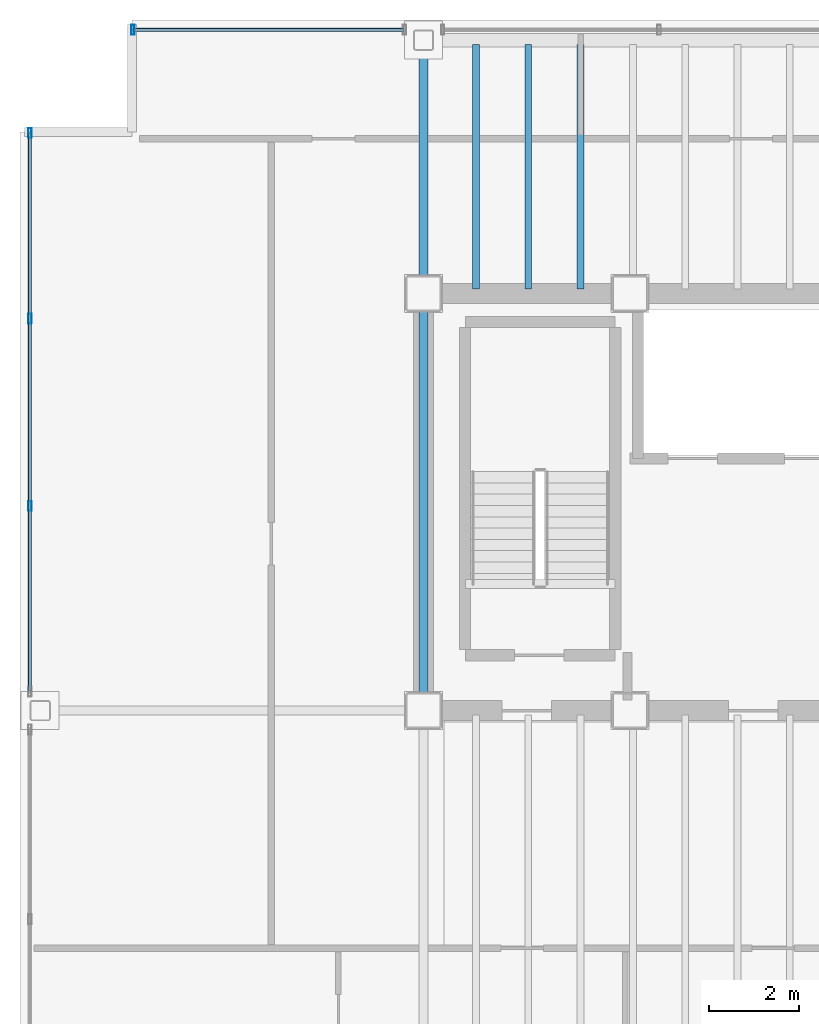
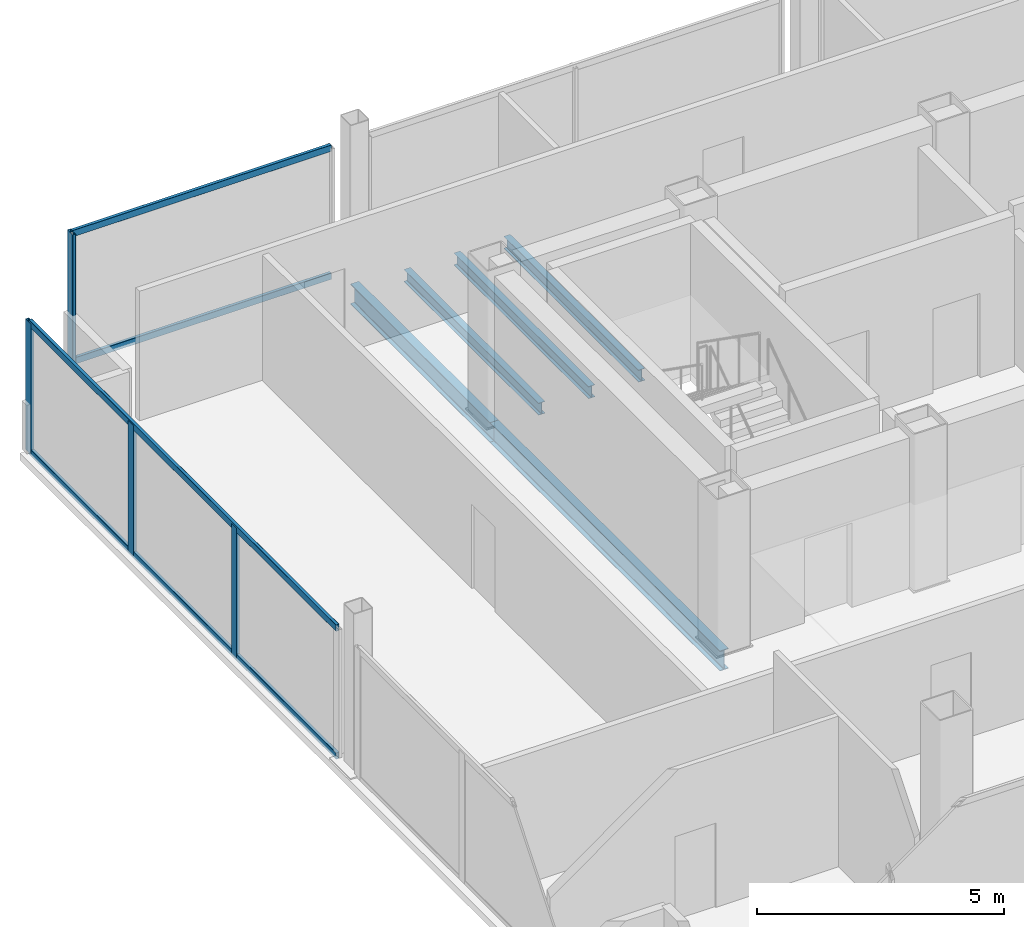
# One storey, part 7 of 16: 8 members, 5 beams, 2 elements without a shape of their own.
"""IFC4 building model written with IfcOpenShell, lengths in metres."""

from ifc_helpers import new_model, si_unit, direction, frame, origin, origin_2d, place, context, subcontext, project, spatial, hollow_rectangle, i_section, extrude, material, material_profile, profile_set, type_object, element, aggregate, save


model = new_model("IFC4")

# Units and contexts
model_context = context("Model", 3, precision=1e-05, world=origin(), true_north=direction((0.0, 1.0)))
body_context = subcontext(model_context, "Body", "Model", "MODEL_VIEW")
ifc_project = project(units=[si_unit("LENGTHUNIT", "METRE"), si_unit("AREAUNIT", "SQUARE_METRE"), si_unit("VOLUMEUNIT", "CUBIC_METRE"), si_unit("PLANEANGLEUNIT", "RADIAN"), si_unit("MASSUNIT", "GRAM", prefix="KILO")], contexts=[model_context])

# Site, building, storey
site_placement = place(None, origin())
site = spatial("IfcSite", under=ifc_project, at=site_placement, CompositionType="ELEMENT")
building_placement = place(site_placement, origin())
building = spatial("IfcBuilding", under=site, at=building_placement, Name="Noeulbin Bourse Tower", CompositionType="ELEMENT")
storey_placement = place(building_placement, frame((0.0, 0.0, 269.60009765625)))
storey = spatial("IfcBuildingStorey", under=building, at=storey_placement, Name="L67", CompositionType="ELEMENT", Elevation=269.60009765625)

# Beams
ifc_material_1 = material(Name="Steel S355", Category="steel")
ifc_material_profile_1 = material_profile(ifc_material_1, i_section(OverallWidth=0.199951171875, OverallDepth=0.5, WebThickness=0.010009765625, FlangeThickness=0.01611328125, FilletRadius=0.02001953125, at=origin_2d()), Name="H-500x200x10x16", Category="LoadBearing")
ifc_profile_set_1 = profile_set([ifc_material_profile_1], Name="Steel S355")
beam_type_1 = type_object("IfcBeamType", Name="BM-GRD-500", PredefinedType="USERDEFINED", material=ifc_profile_set_1)
beam_1_placement = place(storey_placement, frame((13.5, 29.0, -0.43017578125), z_axis=(0.0, 1.0, 0.0), x_axis=(-1.0, 0.0, 0.0)))
element("IfcBeam", 1, at=beam_1_placement, inside=storey, type_object=beam_type_1, Name="Tower Primary Girder NS L67-1.3", ObjectType="GIRDER", PredefinedType="USERDEFINED", context=body_context, shape_type="SweptSolid", body=[
    extrude(i_section(OverallWidth=0.199951171875, OverallDepth=0.5, WebThickness=0.010009765625, FlangeThickness=0.01611328125, FilletRadius=0.02001953125, at=origin_2d()), origin(), (0.0, 0.0, 1.0), 9.300048828125),
])
beam_2_placement = place(storey_placement, frame((13.5, 38.300048828125, -0.43017578125), z_axis=(0.0, 1.0, 0.0), x_axis=(-1.0, 0.0, 0.0)))
element("IfcBeam", 2, at=beam_2_placement, inside=storey, type_object=beam_type_1, Name="Tower Primary Girder NS L67-1.4", ObjectType="GIRDER", PredefinedType="USERDEFINED", context=body_context, shape_type="SweptSolid", body=[
    extrude(i_section(OverallWidth=0.199951171875, OverallDepth=0.5, WebThickness=0.010009765625, FlangeThickness=0.01611328125, FilletRadius=0.02001953125, at=origin_2d()), origin(), (0.0, 0.0, 1.0), 5.64990234375),
])
ifc_material_profile_2 = material_profile(ifc_material_1, i_section(OverallWidth=0.14990234375, OverallDepth=0.300048828125, WebThickness=0.006591796875, FlangeThickness=0.009033203125, FilletRadius=0.012939453125, at=origin_2d()), Name="H-300x150x6.5x9", Category="LoadBearing")
ifc_profile_set_2 = profile_set([ifc_material_profile_2], Name="Steel S355")
beam_type_2 = type_object("IfcBeamType", Name="BM-JST-300", PredefinedType="JOIST", material=ifc_profile_set_2)
for number, where, z_axis, x_axis, name in (
    (3, (14.666748046875, 38.39990234375, -0.330078125), (0.0, 1.0, 0.0), (-1.0, 0.0, 0.0), "Tower Composite Joist L67-02"),
    (4, (15.833251953125, 38.39990234375, -0.330078125), (0.0, 1.0, 0.0), (-1.0, 0.0, 0.0), "Tower Composite Joist L67-04"),
    (5, (17.0, 38.39990234375, -0.330078125), (0.0, 1.0, 0.0), (-1.0, 0.0, 0.0), "Tower Composite Joist L67-06"),
):
    element("IfcBeam", number, at=place(storey_placement, frame(where, z_axis=z_axis, x_axis=x_axis)), inside=storey, type_object=beam_type_2, Name=name, PredefinedType="JOIST", context=body_context, shape_type="SweptSolid", body=[
        extrude(i_section(OverallWidth=0.14990234375, OverallDepth=0.300048828125, WebThickness=0.006591796875, FlangeThickness=0.009033203125, FilletRadius=0.012939453125, at=origin_2d()), origin(), (0.0, 0.0, 1.0), 5.4501953125),
    ])

# Curtain wall, member
ifc_material_2 = material(Name="High-Selectivity Low-Iron Glazing", Category="glass")
curtain_wall_type = type_object("IfcCurtainWallType", Name="CW-SYS-4", PredefinedType="NOTDEFINED", material=ifc_material_2)
curtain_wall_1_placement = place(storey_placement, origin())
curtain_wall_1 = element("IfcCurtainWall", 6, at=curtain_wall_1_placement, inside=storey, type_object=curtain_wall_type, Name="Unitised Curtain Wall CW-L67-N-S1", PredefinedType="NOTDEFINED")
ifc_material_3 = material(Name="Anodised Aluminium 6063-T6", Category="aluminium")
ifc_material_profile_3 = material_profile(ifc_material_3, hollow_rectangle(XDim=0.074951171875, YDim=0.219970703125, WallThickness=0.0048828125, InnerFilletRadius=0.00244140625, OuterFilletRadius=0.0048828125, at=origin_2d()), Name="ALU-MULL-75x220x5", Category="LoadBearing")
ifc_profile_set_3 = profile_set([ifc_material_profile_3], Name="Anodised Aluminium 6063-T6")
member_type_1 = type_object("IfcMemberType", Name="CW-SYS-4-MUL", PredefinedType="MULLION", material=ifc_profile_set_3)
member_1_placement = place(storey_placement, frame((7.02001953125, 44.179931640625, -0.02001953125), z_axis=(0.0, 0.0, 1.0), x_axis=(1.0, 0.0, 0.0)))
member_1 = element("IfcMember", 7, at=member_1_placement, type_object=member_type_1, Name="Curtain Wall Mullion CW-L67-N-S1-M00", PredefinedType="MULLION", context=body_context, shape_type="SweptSolid", body=[
    extrude(hollow_rectangle(XDim=0.074951171875, YDim=0.219970703125, WallThickness=0.0048828125, InnerFilletRadius=0.00244140625, OuterFilletRadius=0.0048828125, at=origin_2d()), origin(), (0.0, 0.0, 1.0), 3.219970703125),
])

# Curtain wall, members
curtain_wall_2_placement = place(storey_placement, origin())
curtain_wall_2 = element("IfcCurtainWall", 8, at=curtain_wall_2_placement, inside=storey, type_object=curtain_wall_type, Name="Unitised Curtain Wall CW-L67-W-S2", PredefinedType="NOTDEFINED")
member_2_placement = place(storey_placement, frame((4.719970703125, 33.563232421875, -0.02001953125), z_axis=(0.0, 0.0, 1.0), x_axis=(1.0, 0.0, 0.0)))
member_2 = element("IfcMember", 9, at=member_2_placement, type_object=member_type_1, Name="Curtain Wall Mullion CW-L67-W-S2-M01", PredefinedType="MULLION", context=body_context, shape_type="SweptSolid", body=[
    extrude(hollow_rectangle(XDim=0.074951171875, YDim=0.219970703125, WallThickness=0.0048828125, InnerFilletRadius=0.00244140625, OuterFilletRadius=0.0048828125, at=origin_2d()), origin(), (0.0, 0.0, 1.0), 3.219970703125),
])
member_3_placement = place(storey_placement, frame((4.719970703125, 37.74169921875, -0.02001953125), z_axis=(0.0, 0.0, 1.0), x_axis=(1.0, 0.0, 0.0)))
member_3 = element("IfcMember", 10, at=member_3_placement, type_object=member_type_1, Name="Curtain Wall Mullion CW-L67-W-S2-M02", PredefinedType="MULLION", context=body_context, shape_type="SweptSolid", body=[
    extrude(hollow_rectangle(XDim=0.074951171875, YDim=0.219970703125, WallThickness=0.0048828125, InnerFilletRadius=0.00244140625, OuterFilletRadius=0.0048828125, at=origin_2d()), origin(), (0.0, 0.0, 1.0), 3.219970703125),
])
member_4_placement = place(storey_placement, frame((4.719970703125, 41.8798828125, -0.02001953125), z_axis=(0.0, 0.0, 1.0), x_axis=(1.0, 0.0, 0.0)))
member_4 = element("IfcMember", 11, at=member_4_placement, type_object=member_type_1, Name="Curtain Wall Mullion CW-L67-W-S2-M03", PredefinedType="MULLION", context=body_context, shape_type="SweptSolid", body=[
    extrude(hollow_rectangle(XDim=0.074951171875, YDim=0.219970703125, WallThickness=0.0048828125, InnerFilletRadius=0.00244140625, OuterFilletRadius=0.0048828125, at=origin_2d()), origin(), (0.0, 0.0, 1.0), 3.219970703125),
])

# Member
ifc_material_profile_4 = material_profile(ifc_material_3, hollow_rectangle(XDim=0.074951171875, YDim=0.159912109375, WallThickness=0.0048828125, InnerFilletRadius=0.00244140625, OuterFilletRadius=0.0048828125, at=origin_2d()), Name="ALU-TRAN-75x160x5", Category="LoadBearing")
ifc_profile_set_4 = profile_set([ifc_material_profile_4], Name="Anodised Aluminium 6063-T6")
member_type_2 = type_object("IfcMemberType", Name="CW-SYS-4-TRN", PredefinedType="USERDEFINED", material=ifc_profile_set_4)
member_5_placement = place(storey_placement, frame((7.030029296875, 44.179931640625, 0.010009765625), z_axis=(1.0, 0.0, 0.0), x_axis=(0.0, 1.0, 0.0)))
member_5 = element("IfcMember", 12, at=member_5_placement, type_object=member_type_2, Name="Curtain Wall Transom CW-L67-N-S1-T00", ObjectType="TRANSOM", PredefinedType="USERDEFINED", context=body_context, shape_type="SweptSolid", body=[
    extrude(hollow_rectangle(XDim=0.074951171875, YDim=0.159912109375, WallThickness=0.0048828125, InnerFilletRadius=0.00244140625, OuterFilletRadius=0.0048828125, at=origin_2d()), origin(), (0.0, 0.0, 1.0), 6.034912109375),
])

member_6_placement = place(storey_placement, frame((7.030029296875, 44.179931640625, 3.169921875), z_axis=(1.0, 0.0, 0.0), x_axis=(0.0, 1.0, 0.0)))
member_6 = element("IfcMember", 13, at=member_6_placement, type_object=member_type_2, Name="Curtain Wall Transom CW-L67-N-S1-T01", ObjectType="TRANSOM", PredefinedType="USERDEFINED", context=body_context, shape_type="SweptSolid", body=[
    extrude(hollow_rectangle(XDim=0.074951171875, YDim=0.159912109375, WallThickness=0.0048828125, InnerFilletRadius=0.00244140625, OuterFilletRadius=0.0048828125, at=origin_2d()), origin(), (0.0, 0.0, 1.0), 6.034912109375),
])

aggregate(curtain_wall_1, [member_1, member_5, member_6])

member_7_placement = place(storey_placement, frame((4.719970703125, 29.43505859375, 0.010009765625), z_axis=(0.0, 1.0, 0.0), x_axis=(-1.0, 0.0, 0.0)))
member_7 = element("IfcMember", 14, at=member_7_placement, type_object=member_type_2, Name="Curtain Wall Transom CW-L67-W-S2-T00", ObjectType="TRANSOM", PredefinedType="USERDEFINED", context=body_context, shape_type="SweptSolid", body=[
    extrude(hollow_rectangle(XDim=0.074951171875, YDim=0.159912109375, WallThickness=0.0048828125, InnerFilletRadius=0.00244140625, OuterFilletRadius=0.0048828125, at=origin_2d()), origin(), (0.0, 0.0, 1.0), 12.43505859375),
])

member_8_placement = place(storey_placement, frame((4.719970703125, 29.43505859375, 3.169921875), z_axis=(0.0, 1.0, 0.0), x_axis=(-1.0, 0.0, 0.0)))
member_8 = element("IfcMember", 15, at=member_8_placement, type_object=member_type_2, Name="Curtain Wall Transom CW-L67-W-S2-T01", ObjectType="TRANSOM", PredefinedType="USERDEFINED", context=body_context, shape_type="SweptSolid", body=[
    extrude(hollow_rectangle(XDim=0.074951171875, YDim=0.159912109375, WallThickness=0.0048828125, InnerFilletRadius=0.00244140625, OuterFilletRadius=0.0048828125, at=origin_2d()), origin(), (0.0, 0.0, 1.0), 12.43505859375),
])

aggregate(curtain_wall_2, [member_2, member_3, member_4, member_7, member_8])

save(model, "model.ifc")
